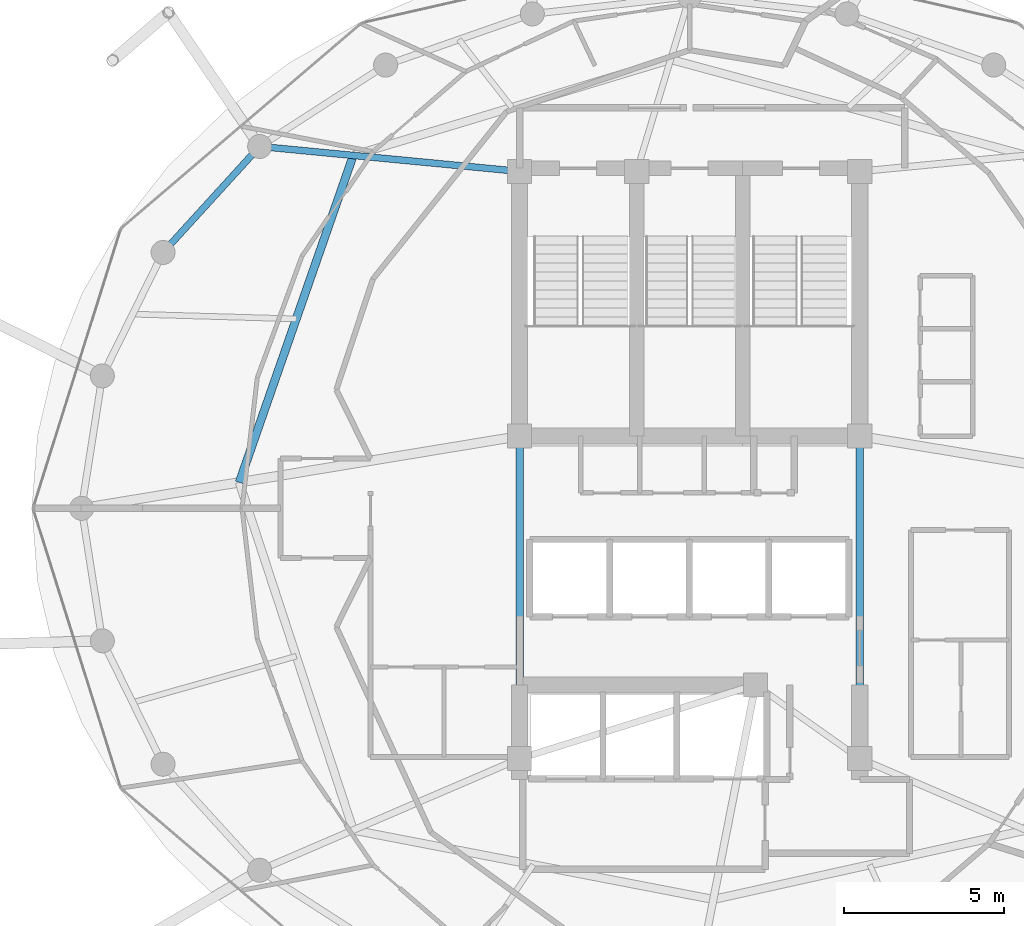
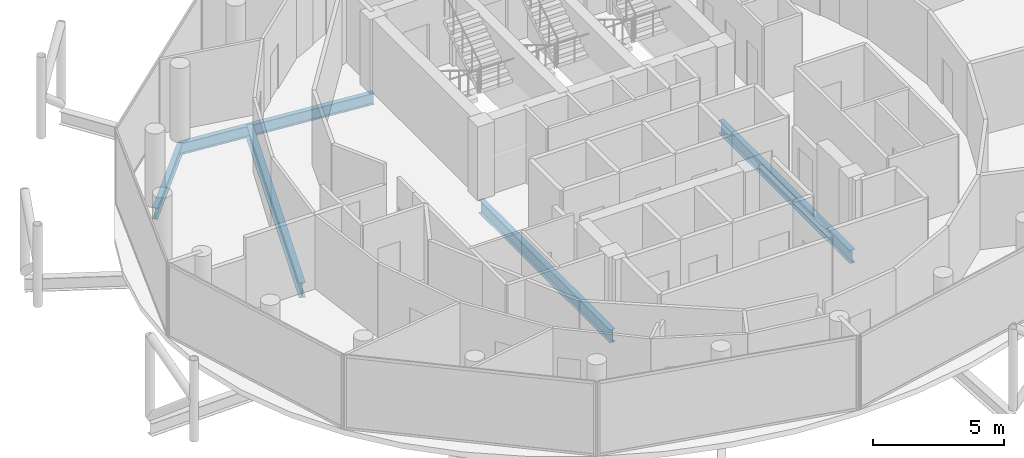
# One storey, part 8 of 24: 5 beams.
"""IFC4 building model written with IfcOpenShell, lengths in metres."""

from ifc_helpers import new_model, si_unit, direction, frame, origin, origin_2d, place, context, subcontext, project, spatial, i_section, extrude, material, material_profile, profile_set, type_object, element, save


model = new_model("IFC4")

# Units and contexts
model_context = context("Model", 3, precision=1e-05, world=origin(), true_north=direction((0.0, 1.0)))
body_context = subcontext(model_context, "Body", "Model", "MODEL_VIEW")
ifc_project = project(units=[si_unit("LENGTHUNIT", "METRE"), si_unit("AREAUNIT", "SQUARE_METRE"), si_unit("VOLUMEUNIT", "CUBIC_METRE"), si_unit("PLANEANGLEUNIT", "RADIAN"), si_unit("MASSUNIT", "GRAM", prefix="KILO")], contexts=[model_context])

# Site, building, storey
site_placement = place(None, origin())
site = spatial("IfcSite", under=ifc_project, at=site_placement, CompositionType="ELEMENT")
building_placement = place(site_placement, origin())
building = spatial("IfcBuilding", under=site, at=building_placement, Name="Nuhasar Tower", CompositionType="ELEMENT")
storey_placement = place(building_placement, frame((0.0, 0.0, 297.39990234375)))
storey = spatial("IfcBuildingStorey", under=building, at=storey_placement, Name="L74", CompositionType="ELEMENT", Elevation=297.39990234375)

# Beams
ifc_material = material(Name="Steel S355", Category="steel")
ifc_material_profile_1 = material_profile(ifc_material, i_section(OverallWidth=0.25390625, OverallDepth=0.68408203125, WebThickness=0.012451171875, FlangeThickness=0.018798828125, at=origin_2d()), Name="W27X94")
ifc_profile_set_1 = profile_set([ifc_material_profile_1], Name="Steel S355")
beam_type_1 = type_object("IfcBeamType", Name="BM-INRING-W27X94", PredefinedType="BEAM", material=ifc_profile_set_1)
beam_1_placement = place(storey_placement, frame((28.51611328125, 37.798095703125, -0.601806640625), z_axis=(-0.329211236979, -0.944256300718, 0.0), x_axis=(0.944256300718, -0.329211236979, 0.0)))
element("IfcBeam", 1, at=beam_1_placement, inside=storey, type_object=beam_type_1, Name="L74 Inner Header Beam 07", PredefinedType="BEAM", context=body_context, shape_type="SweptSolid", body=[
    extrude(i_section(OverallWidth=0.25390625, OverallDepth=0.68408203125, WebThickness=0.012451171875, FlangeThickness=0.018798828125, at=origin_2d()), origin(), (0.0, 0.0, 1.0), 10.78955078125),
])
ifc_material_profile_2 = material_profile(ifc_material, i_section(OverallWidth=0.208984375, OverallDepth=0.528076171875, WebThickness=0.009521484375, FlangeThickness=0.01318359375, at=origin_2d()), Name="W21X55")
ifc_profile_set_2 = profile_set([ifc_material_profile_2], Name="Steel S355")
beam_type_2 = type_object("IfcBeamType", Name="BM-RAD-W21X55", PredefinedType="BEAM", material=ifc_profile_set_2)
beam_2_placement = place(storey_placement, frame((33.699951171875, 37.300048828125, -0.52392578125), z_axis=(-0.99542073054, 0.095590633496, 0.0), x_axis=(-0.095590633496, -0.99542073054, 0.0)))
element("IfcBeam", 2, at=beam_2_placement, inside=storey, type_object=beam_type_2, Name="L74 Radial Floor Girder 07", PredefinedType="BEAM", context=body_context, shape_type="SweptSolid", body=[
    extrude(i_section(OverallWidth=0.208984375, OverallDepth=0.528076171875, WebThickness=0.009521484375, FlangeThickness=0.01318359375, at=origin_2d()), origin(), (0.0, 0.0, 1.0), 8.13720703125),
])
ifc_material_profile_3 = material_profile(ifc_material, i_section(OverallWidth=0.22900390625, OverallDepth=0.612060546875, WebThickness=0.011962890625, FlangeThickness=0.01953125, at=origin_2d()), Name="W24X84")
ifc_profile_set_3 = profile_set([ifc_material_profile_3], Name="Steel S355")
beam_type_3 = type_object("IfcBeamType", Name="BM-RAD-W24X84", PredefinedType="BEAM", material=ifc_profile_set_3)
for number, where, z_axis, x_axis, name in (
    (3, (44.300048828125, 19.0, -0.56591796875), (0.0, 1.0, 0.0), (-1.0, 0.0, 0.0), "L74 Core Ring Girder 3"),
    (4, (33.699951171875, 29.050048828125, -0.56591796875), (0.0, -1.0, 0.0), (1.0, 0.0, 0.0), "L74 Core Ring Girder 8"),
):
    element("IfcBeam", number, at=place(storey_placement, frame(where, z_axis=z_axis, x_axis=x_axis)), inside=storey, type_object=beam_type_3, Name=name, PredefinedType="BEAM", context=body_context, shape_type="SweptSolid", body=[
        extrude(i_section(OverallWidth=0.22900390625, OverallDepth=0.612060546875, WebThickness=0.011962890625, FlangeThickness=0.01953125, at=origin_2d()), origin(), (0.0, 0.0, 1.0), 10.050048828125),
    ])
ifc_material_profile_4 = material_profile(ifc_material, i_section(OverallWidth=0.2099609375, OverallDepth=0.537109375, WebThickness=0.010986328125, FlangeThickness=0.017333984375, at=origin_2d()), Name="W21X68")
ifc_profile_set_4 = profile_set([ifc_material_profile_4], Name="Steel S355")
beam_type_4 = type_object("IfcBeamType", Name="BM-RING-W21X68", PredefinedType="SPANDREL", material=ifc_profile_set_4)
beam_3_placement = place(storey_placement, frame((25.60009765625, 38.077880859375, -0.52880859375), z_axis=(-0.673686302939, -0.739017432293, 0.0), x_axis=(0.739017432293, -0.673686302939, 0.0)))
element("IfcBeam", 5, at=beam_3_placement, inside=storey, type_object=beam_type_4, Name="L74 Perimeter Ring Spandrel 10", PredefinedType="SPANDREL", context=body_context, shape_type="SweptSolid", body=[
    extrude(i_section(OverallWidth=0.2099609375, OverallDepth=0.537109375, WebThickness=0.010986328125, FlangeThickness=0.017333984375, at=origin_2d()), origin(), (0.0, 0.0, 1.0), 4.469482421875),
])

save(model, "model.ifc")
